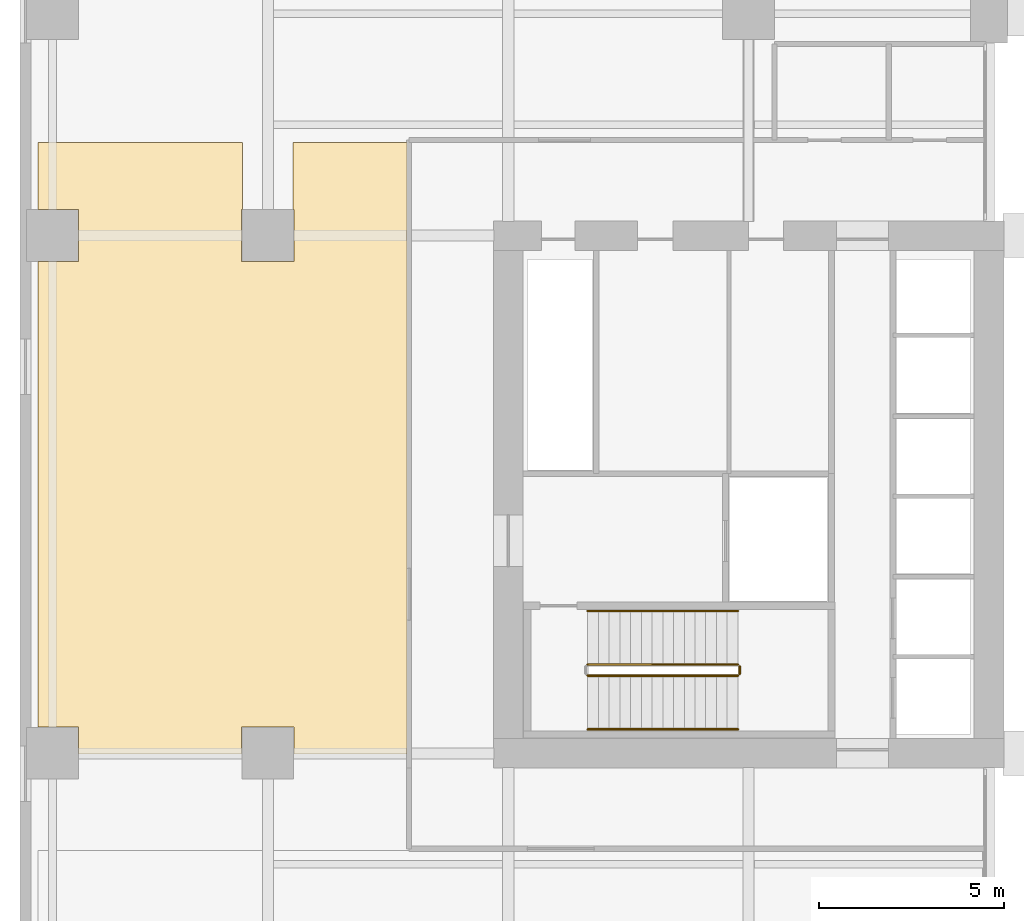
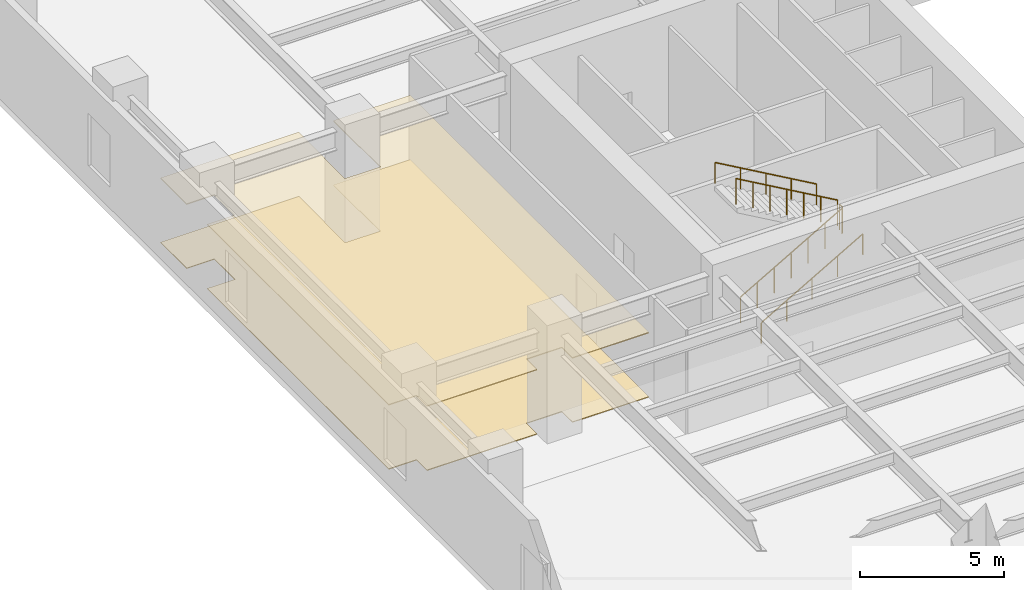
# One storey, part 20 of 23: 5 railings, 2 coverings.
"""IFC4 building model written with IfcOpenShell, lengths in metres."""

from ifc_helpers import new_model, si_unit, direction, frame, origin, origin_2d, place, context, subcontext, project, spatial, polyline, circle, outline, extrude, material, layer, layer_set, type_object, element, save


model = new_model("IFC4")

# Units and contexts
model_context = context("Model", 3, precision=1e-05, world=origin(), true_north=direction((0.0, 1.0)))
body_context = subcontext(model_context, "Body", "Model", "MODEL_VIEW")
ifc_project = project(units=[si_unit("LENGTHUNIT", "METRE"), si_unit("AREAUNIT", "SQUARE_METRE"), si_unit("VOLUMEUNIT", "CUBIC_METRE"), si_unit("PLANEANGLEUNIT", "RADIAN"), si_unit("MASSUNIT", "GRAM", prefix="KILO")], contexts=[model_context])

# Site, building, storey
site_placement = place(None, origin())
site = spatial("IfcSite", under=ifc_project, at=site_placement, CompositionType="ELEMENT")
building_placement = place(site_placement, origin())
building = spatial("IfcBuilding", under=site, at=building_placement, Name="Putna Gate Headquarters", CompositionType="ELEMENT")
storey_placement = place(building_placement, frame((0.0, 0.0, 17.0)))
storey = spatial("IfcBuildingStorey", under=building, at=storey_placement, Name="L03", CompositionType="ELEMENT", Elevation=17.0)

# Coverings
ifc_material_1 = material(Name="Perforated mineral-fibre acoustic ceiling tile")
ifc_layer_1 = layer(ifc_material_1, 0.0400390625)
ifc_layer_set_1 = layer_set([ifc_layer_1], Name="Perforated mineral-fibre acoustic ceiling tile")
covering_type_1 = type_object("IfcCoveringType", Name="COV-ACOUSTIC-CEILING", PredefinedType="CEILING", material=ifc_layer_set_1)
covering_1_placement = place(storey_placement, frame((0.0, 0.0, 2.7099609375)))
element("IfcCovering", 1, at=covering_1_placement, inside=storey, type_object=covering_type_1, Name="L03 Acoustic Ceiling Covering 2", PredefinedType="CEILING", context=body_context, shape_type="SweptSolid", body=[
    extrude(outline(polyline([(10.27001953125, 35.52001953125), (7.18798828125, 35.52001953125), (7.18798828125, 33.7080078125), (7.2080078125, 33.7080078125), (7.2080078125, 32.2919921875), (5.7919921875, 32.2919921875), (5.7919921875, 33.7080078125), (5.81201171875, 33.7080078125), (5.81201171875, 35.52001953125), (0.280029296875, 35.52001953125), (0.280029296875, 33.7080078125), (1.387939453125, 33.7080078125), (1.387939453125, 32.2919921875), (0.280029296875, 32.2919921875), (0.280029296875, 19.7080078125), (1.387939453125, 19.7080078125), (1.387939453125, 18.97998046875), (5.7919921875, 18.97998046875), (5.7919921875, 19.7080078125), (7.2080078125, 19.7080078125), (7.2080078125, 18.97998046875), (10.27001953125, 18.97998046875), (10.27001953125, 35.52001953125)])), origin(), (0.0, 0.0, 1.0), 0.0400390625),
])
ifc_material_2 = material(Name="Calcium-sulphate raised access floor finish")
ifc_layer_2 = layer(ifc_material_2, 0.030029296875)
ifc_layer_set_2 = layer_set([ifc_layer_2], Name="Calcium-sulphate raised access floor finish")
covering_type_2 = type_object("IfcCoveringType", Name="COV-RAISED-FLOORING", PredefinedType="FLOORING", material=ifc_layer_set_2)
covering_2_placement = place(storey_placement, origin())
element("IfcCovering", 2, at=covering_2_placement, inside=storey, type_object=covering_type_2, Name="L03 Raised Access Floor Covering 2", PredefinedType="FLOORING", context=body_context, shape_type="SweptSolid", body=[
    extrude(outline(polyline([(10.27001953125, 35.52001953125), (7.18798828125, 35.52001953125), (7.18798828125, 33.7080078125), (7.2080078125, 33.7080078125), (7.2080078125, 32.2919921875), (5.7919921875, 32.2919921875), (5.7919921875, 33.7080078125), (5.81201171875, 33.7080078125), (5.81201171875, 35.52001953125), (0.280029296875, 35.52001953125), (0.280029296875, 33.7080078125), (1.387939453125, 33.7080078125), (1.387939453125, 32.2919921875), (0.280029296875, 32.2919921875), (0.280029296875, 19.7080078125), (1.387939453125, 19.7080078125), (1.387939453125, 18.97998046875), (5.7919921875, 18.97998046875), (5.7919921875, 19.7080078125), (7.2080078125, 19.7080078125), (7.2080078125, 18.97998046875), (10.27001953125, 18.97998046875), (10.27001953125, 35.52001953125)])), origin(), (0.0, 0.0, 1.0), 0.030029296875),
])

# Railings
ifc_material_3 = material(Name="Powder-coated steel stair guardrail", Category="steel")
railing_type_1 = type_object("IfcRailingType", Name="RAIL-STAIR-GUARD-1100", PredefinedType="GUARDRAIL", material=ifc_material_3)
railing_1_placement = place(storey_placement, frame((15.14990234375, 21.10009765625, 0.166748046875)))
element("IfcRailing", 3, at=railing_1_placement, inside=storey, type_object=railing_type_1, Name="L03 ST1 stair guard 1", PredefinedType="GUARDRAIL", context=body_context, shape_type="SweptSolid", body=[
    extrude(circle(Radius=0.02392578125, at=origin_2d()), frame((0.0, 0.0, 1.076171875), z_axis=(0.867024558463, 0.0, 0.498265406207), x_axis=(0.0, 1.0, 0.0)), (0.0, 0.0, 1.0), 4.682861328125),
    extrude(circle(Radius=0.02099609375, at=origin_2d()), origin(), (0.0, 0.0, 1.0), 1.052001953125),
    extrude(circle(Radius=0.02099609375, at=origin_2d()), frame((0.6767578125, 0.0, 0.388916015625)), (0.0, 0.0, 1.0), 1.052001953125),
    extrude(circle(Radius=0.02099609375, at=origin_2d()), frame((1.353271484375, 0.0, 0.77783203125)), (0.0, 0.0, 1.0), 1.052001953125),
    extrude(circle(Radius=0.02099609375, at=origin_2d()), frame((2.030029296875, 0.0, 1.16650390625)), (0.0, 0.0, 1.0), 1.052001953125),
    extrude(circle(Radius=0.02099609375, at=origin_2d()), frame((2.706787109375, 0.0, 1.555419921875)), (0.0, 0.0, 1.0), 1.052001953125),
    extrude(circle(Radius=0.02099609375, at=origin_2d()), frame((3.38330078125, 0.0, 1.9443359375)), (0.0, 0.0, 1.0), 1.052001953125),
    extrude(circle(Radius=0.02099609375, at=origin_2d()), frame((4.06005859375, 0.0, 2.333251953125)), (0.0, 0.0, 1.0), 1.052001953125),
])
railing_2_placement = place(storey_placement, frame((19.260009765625, 21.14990234375, 2.5)))
element("IfcRailing", 4, at=railing_2_placement, inside=storey, type_object=railing_type_1, Name="L03 ST1 stair guard 2", PredefinedType="GUARDRAIL", context=body_context, shape_type="SweptSolid", body=[
    extrude(circle(Radius=0.02392578125, at=origin_2d()), frame((0.0, 0.0, 1.076171875), z_axis=(0.0, 1.0, 0.0), x_axis=(-1.0, 0.0, 0.0)), (0.0, 0.0, 1.0), 0.2001953125),
    extrude(circle(Radius=0.02099609375, at=origin_2d()), origin(), (0.0, 0.0, 1.0), 1.052001953125),
    extrude(circle(Radius=0.02099609375, at=origin_2d()), frame((0.0, 0.2001953125, 0.0)), (0.0, 0.0, 1.0), 1.052001953125),
])
railing_3_placement = place(storey_placement, frame((19.2099609375, 21.39990234375, 2.666748046875)))
element("IfcRailing", 5, at=railing_3_placement, inside=storey, type_object=railing_type_1, Name="L03 ST1 stair guard 3", PredefinedType="GUARDRAIL", context=body_context, shape_type="SweptSolid", body=[
    extrude(circle(Radius=0.02392578125, at=origin_2d()), frame((0.0, 0.0, 1.076171875), z_axis=(-0.867024558463, 0.0, 0.498265406207), x_axis=(0.0, -1.0, 0.0)), (0.0, 0.0, 1.0), 4.682861328125),
    extrude(circle(Radius=0.02099609375, at=origin_2d()), origin(), (0.0, 0.0, 1.0), 1.052001953125),
    extrude(circle(Radius=0.02099609375, at=origin_2d()), frame((-0.6767578125, 0.0, 0.388916015625)), (0.0, 0.0, 1.0), 1.052001953125),
    extrude(circle(Radius=0.02099609375, at=origin_2d()), frame((-1.353271484375, 0.0, 0.77783203125)), (0.0, 0.0, 1.0), 1.052001953125),
    extrude(circle(Radius=0.02099609375, at=origin_2d()), frame((-2.030029296875, 0.0, 1.16650390625)), (0.0, 0.0, 1.0), 1.052001953125),
    extrude(circle(Radius=0.02099609375, at=origin_2d()), frame((-2.706787109375, 0.0, 1.555419921875)), (0.0, 0.0, 1.0), 1.052001953125),
    extrude(circle(Radius=0.02099609375, at=origin_2d()), frame((-3.38330078125, 0.0, 1.9443359375)), (0.0, 0.0, 1.0), 1.052001953125),
    extrude(circle(Radius=0.02099609375, at=origin_2d()), frame((-4.06005859375, 0.0, 2.333251953125)), (0.0, 0.0, 1.0), 1.052001953125),
])
ifc_material_4 = material(Name="Brushed stainless steel handrail", Category="steel")
railing_type_2 = type_object("IfcRailingType", Name="RAIL-STAIR-HAND-900", PredefinedType="HANDRAIL", material=ifc_material_4)
railing_4_placement = place(storey_placement, frame((15.14990234375, 19.64990234375, 0.166748046875)))
element("IfcRailing", 6, at=railing_4_placement, inside=storey, type_object=railing_type_2, Name="L03 ST1 stair handrail 1", PredefinedType="HANDRAIL", context=body_context, shape_type="SweptSolid", body=[
    extrude(circle(Radius=0.02392578125, at=origin_2d()), frame((0.0, 0.0, 0.8759765625), z_axis=(0.867024558463, 0.0, 0.498265406207), x_axis=(0.0, 1.0, 0.0)), (0.0, 0.0, 1.0), 4.682861328125),
    extrude(circle(Radius=0.02099609375, at=origin_2d()), origin(), (0.0, 0.0, 1.0), 0.851806640625),
    extrude(circle(Radius=0.02099609375, at=origin_2d()), frame((1.01513671875, 0.0, 0.583251953125)), (0.0, 0.0, 1.0), 0.851806640625),
    extrude(circle(Radius=0.02099609375, at=origin_2d()), frame((2.030029296875, 0.0, 1.16650390625)), (0.0, 0.0, 1.0), 0.851806640625),
    extrude(circle(Radius=0.02099609375, at=origin_2d()), frame((3.044921875, 0.0, 1.75)), (0.0, 0.0, 1.0), 0.851806640625),
    extrude(circle(Radius=0.02099609375, at=origin_2d()), frame((4.06005859375, 0.0, 2.333251953125)), (0.0, 0.0, 1.0), 0.851806640625),
])
railing_5_placement = place(storey_placement, frame((19.2099609375, 22.85009765625, 2.666748046875)))
element("IfcRailing", 7, at=railing_5_placement, inside=storey, type_object=railing_type_2, Name="L03 ST1 stair handrail 2", PredefinedType="HANDRAIL", context=body_context, shape_type="SweptSolid", body=[
    extrude(circle(Radius=0.02392578125, at=origin_2d()), frame((0.0, 0.0, 0.8759765625), z_axis=(-0.867024558463, 0.0, 0.498265406207), x_axis=(0.0, -1.0, 0.0)), (0.0, 0.0, 1.0), 4.682861328125),
    extrude(circle(Radius=0.02099609375, at=origin_2d()), origin(), (0.0, 0.0, 1.0), 0.851806640625),
    extrude(circle(Radius=0.02099609375, at=origin_2d()), frame((-1.01513671875, 0.0, 0.583251953125)), (0.0, 0.0, 1.0), 0.851806640625),
    extrude(circle(Radius=0.02099609375, at=origin_2d()), frame((-2.030029296875, 0.0, 1.16650390625)), (0.0, 0.0, 1.0), 0.851806640625),
    extrude(circle(Radius=0.02099609375, at=origin_2d()), frame((-3.044921875, 0.0, 1.75)), (0.0, 0.0, 1.0), 0.851806640625),
    extrude(circle(Radius=0.02099609375, at=origin_2d()), frame((-4.06005859375, 0.0, 2.333251953125)), (0.0, 0.0, 1.0), 0.851806640625),
])

save(model, "model.ifc")
